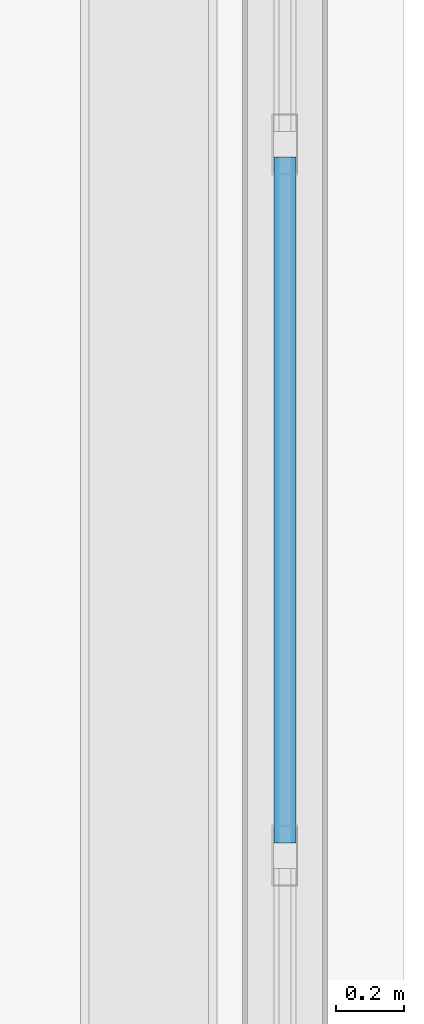
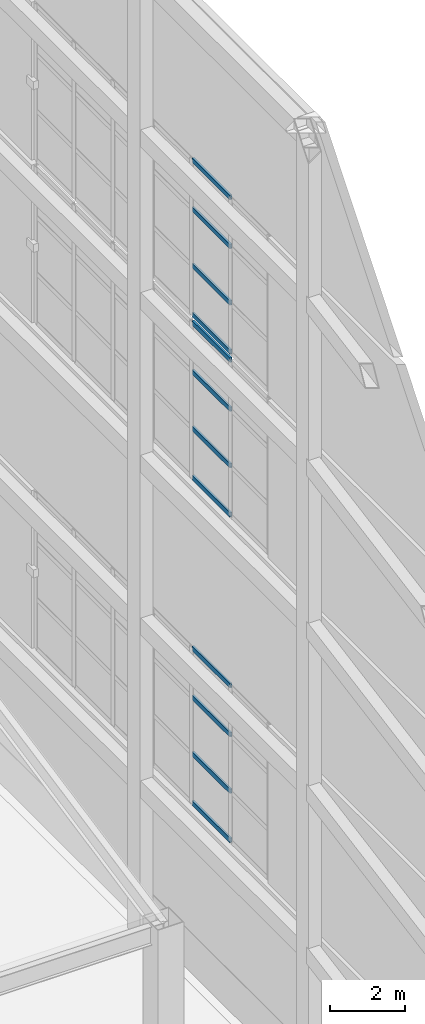
# One storey, part 28 of 47: 12 members, 3 elements without a shape of their own.
"""IFC4 building model written with IfcOpenShell, lengths in metres."""

from ifc_helpers import new_model, si_unit, direction, frame, origin, origin_2d, place, context, subcontext, project, spatial, hollow_rectangle, extrude, material, layer, layer_set, material_profile, profile_set, type_object, element, aggregate, save


model = new_model("IFC4")

# Units and contexts
model_context = context("Model", 3, precision=1e-05, world=origin(), true_north=direction((0.0, 1.0)))
body_context = subcontext(model_context, "Body", "Model", "MODEL_VIEW")
ifc_project = project(units=[si_unit("LENGTHUNIT", "METRE"), si_unit("AREAUNIT", "SQUARE_METRE"), si_unit("VOLUMEUNIT", "CUBIC_METRE"), si_unit("PLANEANGLEUNIT", "RADIAN"), si_unit("MASSUNIT", "GRAM", prefix="KILO")], contexts=[model_context])

# Site, building, storey
site_placement = place(None, origin())
site = spatial("IfcSite", under=ifc_project, at=site_placement, CompositionType="ELEMENT")
building_placement = place(site_placement, origin())
building = spatial("IfcBuilding", under=site, at=building_placement, Name="Qiaolan Cultural Towers", CompositionType="ELEMENT")
storey_placement = place(building_placement, frame((0.0, 0.0, 280.199951171875)))
storey = spatial("IfcBuildingStorey", under=building, at=storey_placement, Name="RF", CompositionType="ELEMENT", Elevation=280.199951171875)

# Curtain wall, members
ifc_material_1 = material(Name="Unitized Anodized Aluminium Curtain Wall System", Category="aluminium")
ifc_layer = layer(ifc_material_1, 0.199951171875)
ifc_layer_set = layer_set([ifc_layer], Name="Unitized Anodized Aluminium Curtain Wall System")
curtain_wall_type = type_object("IfcCurtainWallType", Name="CWS-06", PredefinedType="NOTDEFINED", material=ifc_layer_set)
curtain_wall_1_placement = place(storey_placement, origin())
curtain_wall_1 = element("IfcCurtainWall", 1, at=curtain_wall_1_placement, inside=storey, type_object=curtain_wall_type, Name="T1 Crown Tier 2 Fritted Screen Curtain Wall 3", PredefinedType="NOTDEFINED")
ifc_material_2 = material(Name="Extruded Aluminium 6063-T6", Category="aluminium")
ifc_material_profile = material_profile(ifc_material_2, hollow_rectangle(XDim=0.06494140625, YDim=0.14990234375, WallThickness=0.00390625, at=origin_2d()), Name="CWT-150x65x4")
ifc_profile_set = profile_set([ifc_material_profile], Name="Extruded Aluminium 6063-T6")
member_type = type_object("IfcMemberType", Name="CWS-06-TRN", PredefinedType="USERDEFINED", material=ifc_profile_set)
member_1_placement = place(storey_placement, frame((45.050048828125, 29.857421875, 5.4326171875), z_axis=(0.0, 1.0, 0.0), x_axis=(-1.0, 0.0, 0.0)))
member_1 = element("IfcMember", 2, at=member_1_placement, type_object=member_type, Name="CW-6 transom 2.1", ObjectType="TRANSOM", PredefinedType="USERDEFINED", context=body_context, shape_type="SweptSolid", body=[
    extrude(hollow_rectangle(XDim=0.06494140625, YDim=0.14990234375, WallThickness=0.00390625, at=origin_2d()), origin(), (0.0, 0.0, 1.0), 2.01513671875),
])
member_2_placement = place(storey_placement, frame((45.050048828125, 29.857421875, 7.030029296875), z_axis=(0.0, 1.0, 0.0), x_axis=(-1.0, 0.0, 0.0)))
member_2 = element("IfcMember", 3, at=member_2_placement, type_object=member_type, Name="CW-6 transom 2.2", ObjectType="TRANSOM", PredefinedType="USERDEFINED", context=body_context, shape_type="SweptSolid", body=[
    extrude(hollow_rectangle(XDim=0.06494140625, YDim=0.14990234375, WallThickness=0.00390625, at=origin_2d()), origin(), (0.0, 0.0, 1.0), 2.01513671875),
])
member_3_placement = place(storey_placement, frame((45.050048828125, 29.857421875, 8.8701171875), z_axis=(0.0, 1.0, 0.0), x_axis=(-1.0, 0.0, 0.0)))
member_3 = element("IfcMember", 4, at=member_3_placement, type_object=member_type, Name="CW-6 transom 2.3", ObjectType="TRANSOM", PredefinedType="USERDEFINED", context=body_context, shape_type="SweptSolid", body=[
    extrude(hollow_rectangle(XDim=0.06494140625, YDim=0.14990234375, WallThickness=0.00390625, at=origin_2d()), origin(), (0.0, 0.0, 1.0), 2.01513671875),
])
member_4_placement = place(storey_placement, frame((45.050048828125, 29.857421875, 10.467529296875), z_axis=(0.0, 1.0, 0.0), x_axis=(-1.0, 0.0, 0.0)))
member_4 = element("IfcMember", 5, at=member_4_placement, type_object=member_type, Name="CW-6 transom 2.4", ObjectType="TRANSOM", PredefinedType="USERDEFINED", context=body_context, shape_type="SweptSolid", body=[
    extrude(hollow_rectangle(XDim=0.06494140625, YDim=0.14990234375, WallThickness=0.00390625, at=origin_2d()), origin(), (0.0, 0.0, 1.0), 2.01513671875),
])
aggregate(curtain_wall_1, [member_1, member_2, member_3, member_4])

curtain_wall_2_placement = place(storey_placement, origin())
curtain_wall_2 = element("IfcCurtainWall", 6, at=curtain_wall_2_placement, inside=storey, type_object=curtain_wall_type, Name="T1 Crown Tier 4 Fritted Screen Curtain Wall 3", PredefinedType="NOTDEFINED")
member_5_placement = place(storey_placement, frame((45.050048828125, 29.857421875, 16.032470703125), z_axis=(0.0, 1.0, 0.0), x_axis=(-1.0, 0.0, 0.0)))
member_5 = element("IfcMember", 7, at=member_5_placement, type_object=member_type, Name="CW-6 transom 2.1", ObjectType="TRANSOM", PredefinedType="USERDEFINED", context=body_context, shape_type="SweptSolid", body=[
    extrude(hollow_rectangle(XDim=0.06494140625, YDim=0.14990234375, WallThickness=0.00390625, at=origin_2d()), origin(), (0.0, 0.0, 1.0), 2.01513671875),
])
member_6_placement = place(storey_placement, frame((45.050048828125, 29.857421875, 17.630126953125), z_axis=(0.0, 1.0, 0.0), x_axis=(-1.0, 0.0, 0.0)))
member_6 = element("IfcMember", 8, at=member_6_placement, type_object=member_type, Name="CW-6 transom 2.2", ObjectType="TRANSOM", PredefinedType="USERDEFINED", context=body_context, shape_type="SweptSolid", body=[
    extrude(hollow_rectangle(XDim=0.06494140625, YDim=0.14990234375, WallThickness=0.00390625, at=origin_2d()), origin(), (0.0, 0.0, 1.0), 2.01513671875),
])
member_7_placement = place(storey_placement, frame((45.050048828125, 29.857421875, 19.469970703125), z_axis=(0.0, 1.0, 0.0), x_axis=(-1.0, 0.0, 0.0)))
member_7 = element("IfcMember", 9, at=member_7_placement, type_object=member_type, Name="CW-6 transom 2.3", ObjectType="TRANSOM", PredefinedType="USERDEFINED", context=body_context, shape_type="SweptSolid", body=[
    extrude(hollow_rectangle(XDim=0.06494140625, YDim=0.14990234375, WallThickness=0.00390625, at=origin_2d()), origin(), (0.0, 0.0, 1.0), 2.01513671875),
])
member_8_placement = place(storey_placement, frame((45.050048828125, 29.857421875, 21.067626953125), z_axis=(0.0, 1.0, 0.0), x_axis=(-1.0, 0.0, 0.0)))
member_8 = element("IfcMember", 10, at=member_8_placement, type_object=member_type, Name="CW-6 transom 2.4", ObjectType="TRANSOM", PredefinedType="USERDEFINED", context=body_context, shape_type="SweptSolid", body=[
    extrude(hollow_rectangle(XDim=0.06494140625, YDim=0.14990234375, WallThickness=0.00390625, at=origin_2d()), origin(), (0.0, 0.0, 1.0), 2.01513671875),
])
aggregate(curtain_wall_2, [member_5, member_6, member_7, member_8])

curtain_wall_3_placement = place(storey_placement, origin())
curtain_wall_3 = element("IfcCurtainWall", 11, at=curtain_wall_3_placement, inside=storey, type_object=curtain_wall_type, Name="T1 Crown Tier 5 Fritted Screen Curtain Wall 3", PredefinedType="NOTDEFINED")
member_9_placement = place(storey_placement, frame((45.050048828125, 29.857421875, 21.33251953125), z_axis=(0.0, 1.0, 0.0), x_axis=(-1.0, 0.0, 0.0)))
member_9 = element("IfcMember", 12, at=member_9_placement, type_object=member_type, Name="CW-6 transom 2.1", ObjectType="TRANSOM", PredefinedType="USERDEFINED", context=body_context, shape_type="SweptSolid", body=[
    extrude(hollow_rectangle(XDim=0.06494140625, YDim=0.14990234375, WallThickness=0.00390625, at=origin_2d()), origin(), (0.0, 0.0, 1.0), 2.01513671875),
])
member_10_placement = place(storey_placement, frame((45.050048828125, 29.857421875, 22.929931640625), z_axis=(0.0, 1.0, 0.0), x_axis=(-1.0, 0.0, 0.0)))
member_10 = element("IfcMember", 13, at=member_10_placement, type_object=member_type, Name="CW-6 transom 2.2", ObjectType="TRANSOM", PredefinedType="USERDEFINED", context=body_context, shape_type="SweptSolid", body=[
    extrude(hollow_rectangle(XDim=0.06494140625, YDim=0.14990234375, WallThickness=0.00390625, at=origin_2d()), origin(), (0.0, 0.0, 1.0), 2.01513671875),
])
member_11_placement = place(storey_placement, frame((45.050048828125, 29.857421875, 24.77001953125), z_axis=(0.0, 1.0, 0.0), x_axis=(-1.0, 0.0, 0.0)))
member_11 = element("IfcMember", 14, at=member_11_placement, type_object=member_type, Name="CW-6 transom 2.3", ObjectType="TRANSOM", PredefinedType="USERDEFINED", context=body_context, shape_type="SweptSolid", body=[
    extrude(hollow_rectangle(XDim=0.06494140625, YDim=0.14990234375, WallThickness=0.00390625, at=origin_2d()), origin(), (0.0, 0.0, 1.0), 2.01513671875),
])
member_12_placement = place(storey_placement, frame((45.050048828125, 29.857421875, 26.367431640625), z_axis=(0.0, 1.0, 0.0), x_axis=(-1.0, 0.0, 0.0)))
member_12 = element("IfcMember", 15, at=member_12_placement, type_object=member_type, Name="CW-6 transom 2.4", ObjectType="TRANSOM", PredefinedType="USERDEFINED", context=body_context, shape_type="SweptSolid", body=[
    extrude(hollow_rectangle(XDim=0.06494140625, YDim=0.14990234375, WallThickness=0.00390625, at=origin_2d()), origin(), (0.0, 0.0, 1.0), 2.01513671875),
])
aggregate(curtain_wall_3, [member_9, member_10, member_11, member_12])

save(model, "model.ifc")
